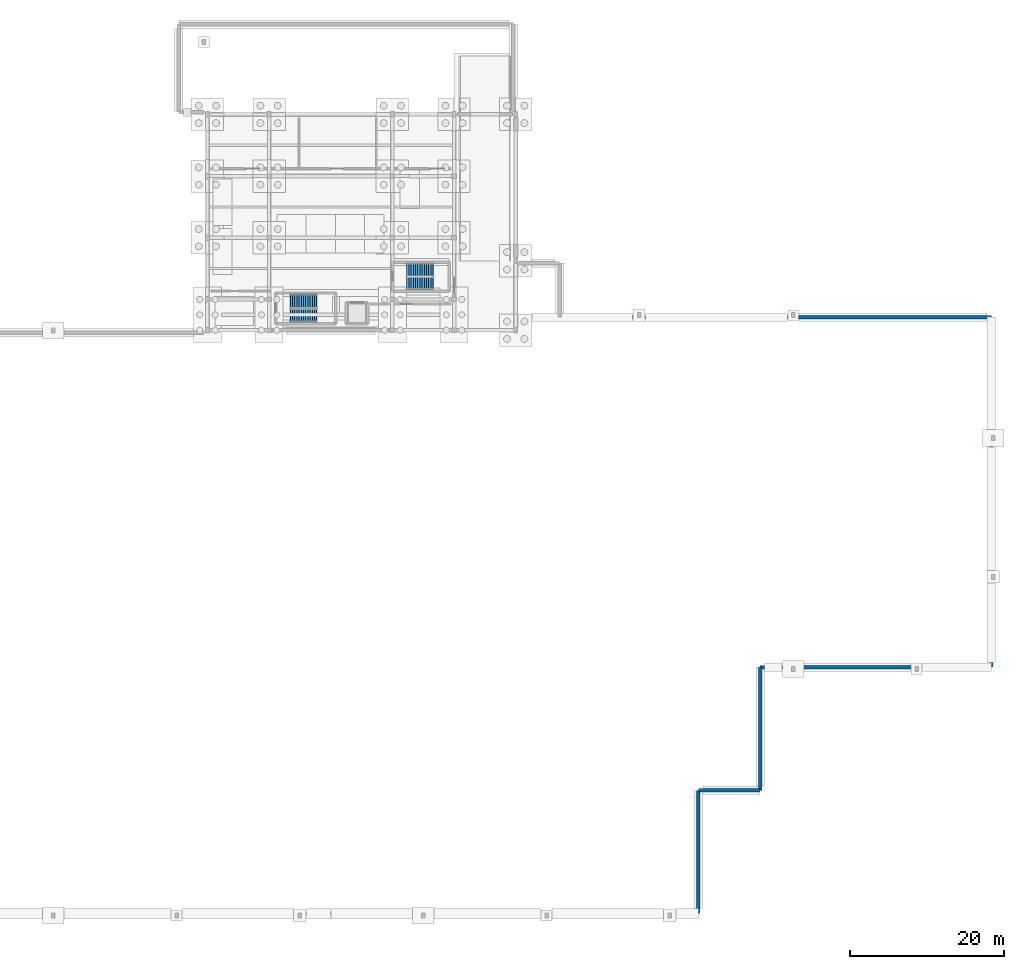
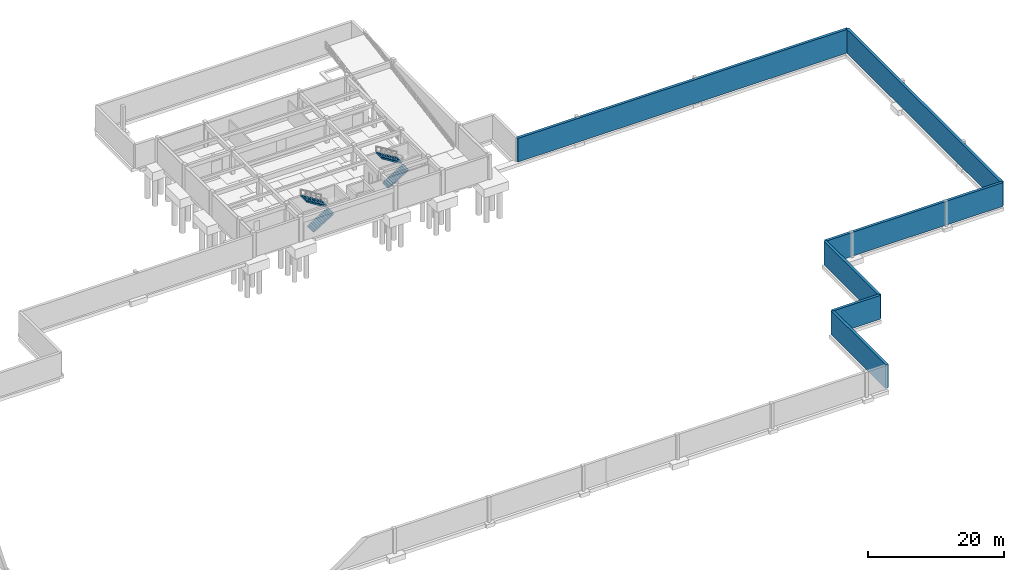
# One storey, part 7 of 11: 6 walls, 4 stair flights, 2 elements without a shape of their own.
"""IFC4 building model written with IfcOpenShell, lengths in metres."""

from ifc_helpers import new_model, si_unit, direction, frame, frame_2d, origin, place, context, subcontext, project, spatial, polyline, rectangle, outline, extrude, material, layer, layer_set, type_object, element, aggregate, save


model = new_model("IFC4")

# Units and contexts
model_context = context("Model", 3, precision=1e-05, world=origin(), true_north=direction((0.0, 1.0)))
body_context = subcontext(model_context, "Body", "Model", "MODEL_VIEW")
ifc_project = project(units=[si_unit("LENGTHUNIT", "METRE"), si_unit("AREAUNIT", "SQUARE_METRE"), si_unit("VOLUMEUNIT", "CUBIC_METRE"), si_unit("PLANEANGLEUNIT", "RADIAN"), si_unit("MASSUNIT", "GRAM", prefix="KILO")], contexts=[model_context])

# Site, building, storey
site_placement = place(None, origin())
site = spatial("IfcSite", under=ifc_project, at=site_placement, CompositionType="ELEMENT")
building_placement = place(site_placement, origin())
building = spatial("IfcBuilding", under=site, at=building_placement, Name="Serraluz Foothill Cableway Terminal", CompositionType="ELEMENT")
storey_placement = place(building_placement, frame((0.0, 0.0, -4.5)))
storey = spatial("IfcBuildingStorey", under=building, at=storey_placement, Name="B1", CompositionType="ELEMENT", Elevation=-4.5)

# Walls
ifc_material = material(Name="Concrete C35/45 (f'c 35 MPa)", Category="concrete")
ifc_layer = layer(ifc_material, 0.449951171875, Name="Concrete C35/45 (f'c 35 MPa)", Category="concrete")
ifc_layer_set = layer_set([ifc_layer], Name="Concrete C35/45 (f'c 35 MPa)")
wall_type = type_object("IfcWallType", Name="TYP-WL-RET-450", PredefinedType="USERDEFINED", material=ifc_layer_set)
wall_1_placement = place(storey_placement, frame((135.699951171875, 0.300048828125, 0.0), z_axis=(0.0, 0.0, 1.0), x_axis=(0.0, 1.0, 0.0)))
element("IfcWall", 1, at=wall_1_placement, inside=storey, type_object=wall_type, Name="Earth Retaining Plinth Wall PLN-E-01", ObjectType="RETAININGWALL", PredefinedType="USERDEFINED", context=body_context, shape_type="SweptSolid", body=[
    extrude(rectangle(XDim=16.0, YDim=0.449951171875, at=frame_2d((8.0, 0.0))), origin(), (0.0, 0.0, 1.0), 4.260009765625),
])
wall_2_placement = place(storey_placement, frame((135.699951171875, 16.300048828125, 0.0), z_axis=(0.0, 0.0, 1.0), x_axis=(1.0, 0.0, 0.0)))
element("IfcWall", 2, at=wall_2_placement, inside=storey, type_object=wall_type, Name="Earth Retaining Plinth Wall PLN-S-02B", ObjectType="RETAININGWALL", PredefinedType="USERDEFINED", context=body_context, shape_type="SweptSolid", body=[
    extrude(rectangle(XDim=8.0, YDim=0.449951171875, at=frame_2d((4.0, 0.0))), origin(), (0.0, 0.0, 1.0), 4.260009765625),
])
wall_3_placement = place(storey_placement, frame((143.699951171875, 16.300048828125, 0.0), z_axis=(0.0, 0.0, 1.0), x_axis=(0.0, 1.0, 0.0)))
element("IfcWall", 3, at=wall_3_placement, inside=storey, type_object=wall_type, Name="Earth Retaining Plinth Wall PLN-E-01B", ObjectType="RETAININGWALL", PredefinedType="USERDEFINED", context=body_context, shape_type="SweptSolid", body=[
    extrude(rectangle(XDim=16.0, YDim=0.449951171875, at=frame_2d((8.0, 0.0))), origin(), (0.0, 0.0, 1.0), 4.260009765625),
])
wall_4_placement = place(storey_placement, frame((143.699951171875, 32.300048828125, 0.0), z_axis=(0.0, 0.0, 1.0), x_axis=(1.0, 0.0, 0.0)))
element("IfcWall", 4, at=wall_4_placement, inside=storey, type_object=wall_type, Name="Earth Retaining Plinth Wall PLN-S-03", ObjectType="RETAININGWALL", PredefinedType="USERDEFINED", context=body_context, shape_type="SweptSolid", body=[
    extrude(rectangle(XDim=30.0, YDim=0.449951171875, at=frame_2d((15.0, 0.0))), origin(), (0.0, 0.0, 1.0), 4.260009765625),
])
wall_5_placement = place(storey_placement, frame((173.699951171875, 32.300048828125, 0.0), z_axis=(0.0, 0.0, 1.0), x_axis=(0.0, 1.0, 0.0)))
element("IfcWall", 5, at=wall_5_placement, inside=storey, type_object=wall_type, Name="Earth Retaining Plinth Wall PLN-E-02", ObjectType="RETAININGWALL", PredefinedType="USERDEFINED", context=body_context, shape_type="SweptSolid", body=[
    extrude(rectangle(XDim=45.39990234375, YDim=0.449951171875, at=frame_2d((22.699951171875, 0.0))), origin(), (0.0, 0.0, 1.0), 4.260009765625),
])
wall_6_placement = place(storey_placement, frame((173.699951171875, 77.699951171875, 0.0), z_axis=(0.0, 0.0, 1.0), x_axis=(-1.0, 0.0, 0.0)))
element("IfcWall", 6, at=wall_6_placement, inside=storey, type_object=wall_type, Name="Earth Retaining Plinth Wall PLN-N-01", ObjectType="RETAININGWALL", PredefinedType="USERDEFINED", context=body_context, shape_type="SweptSolid", body=[
    extrude(rectangle(XDim=56.0, YDim=0.449951171875, at=frame_2d((28.0, 0.0))), origin(), (0.0, 0.0, 1.0), 4.260009765625),
])

# Stair, stair flights
stair_type_1 = type_object("IfcStairType", Name="TYP-ST-DOG-166-45", PredefinedType="HALF_TURN_STAIR", material=ifc_material)
stair_1_placement = place(storey_placement, origin())
stair_1 = element("IfcStair", 7, at=stair_1_placement, inside=storey, type_object=stair_type_1, Name="B1 ST-09", PredefinedType="HALF_TURN_STAIR")
stair_flight_type_1 = type_object("IfcStairFlightType", Name="TYP-FL-DOG-166-45", PredefinedType="STRAIGHT", material=ifc_material)
stair_flight_1_placement = place(storey_placement, frame((97.860107421875, 82.030029296875, 0.0), z_axis=(0.0, 0.0, 1.0), x_axis=(1.0, 0.0, 0.0)))
stair_flight_1 = element("IfcStairFlight", 8, at=stair_flight_1_placement, type_object=stair_flight_type_1, Name="ST-09 flight 1", NumberOfRisers=13, NumberOfTreads=12, PredefinedType="STRAIGHT", RiserHeight=0.173076923, TreadLength=0.285, context=body_context, shape_type="SweptSolid", body=[
    extrude(outline(polyline([(-0.02490234375, -0.06005859375), (-0.02490234375, 0.0), (0.0, 0.0), (0.0, 0.173095703125), (0.284912109375, 0.173095703125), (0.284912109375, 0.34619140625), (0.570068359375, 0.34619140625), (0.570068359375, 0.519287109375), (0.85498046875, 0.519287109375), (0.85498046875, 0.6923828125), (1.139892578125, 0.6923828125), (1.139892578125, 0.865478515625), (1.425048828125, 0.865478515625), (1.425048828125, 1.03857421875), (1.7099609375, 1.03857421875), (1.7099609375, 1.21142578125), (1.9951171875, 1.21142578125), (1.9951171875, 1.384521484375), (2.280029296875, 1.384521484375), (2.280029296875, 1.5576171875), (2.56494140625, 1.5576171875), (2.56494140625, 1.730712890625), (2.85009765625, 1.730712890625), (2.85009765625, 1.90380859375), (3.135009765625, 1.90380859375), (3.135009765625, 2.076904296875), (3.419921875, 2.076904296875), (3.419921875, 2.25), (3.445068359375, 2.25), (3.445068359375, 1.901611328125), (0.288818359375, -0.06005859375), (-0.02490234375, -0.06005859375)])), frame((0.0, 0.830078125, 0.0), z_axis=(0.0, -1.0, 0.0), x_axis=(1.0, 0.0, 0.0)), (0.0, 0.0, 1.0), 1.659912109375),
])
stair_flight_2_placement = place(storey_placement, frame((101.280029296875, 83.85009765625, 2.25), z_axis=(0.0, 0.0, 1.0), x_axis=(-1.0, 0.0, 0.0)))
stair_flight_2 = element("IfcStairFlight", 9, at=stair_flight_2_placement, type_object=stair_flight_type_1, Name="ST-09 flight 2", NumberOfRisers=13, NumberOfTreads=12, PredefinedType="STRAIGHT", RiserHeight=0.173076923, TreadLength=0.285, context=body_context, shape_type="SweptSolid", body=[
    extrude(outline(polyline([(-0.02490234375, -0.06005859375), (-0.02490234375, 0.0), (0.0, 0.0), (0.0, 0.173095703125), (0.284912109375, 0.173095703125), (0.284912109375, 0.34619140625), (0.570068359375, 0.34619140625), (0.570068359375, 0.519287109375), (0.85498046875, 0.519287109375), (0.85498046875, 0.6923828125), (1.139892578125, 0.6923828125), (1.139892578125, 0.865478515625), (1.425048828125, 0.865478515625), (1.425048828125, 1.03857421875), (1.7099609375, 1.03857421875), (1.7099609375, 1.21142578125), (1.9951171875, 1.21142578125), (1.9951171875, 1.384521484375), (2.280029296875, 1.384521484375), (2.280029296875, 1.5576171875), (2.56494140625, 1.5576171875), (2.56494140625, 1.730712890625), (2.85009765625, 1.730712890625), (2.85009765625, 1.90380859375), (3.135009765625, 1.90380859375), (3.135009765625, 2.076904296875), (3.419921875, 2.076904296875), (3.419921875, 2.25), (3.445068359375, 2.25), (3.445068359375, 1.901611328125), (0.288818359375, -0.06005859375), (-0.02490234375, -0.06005859375)])), frame((0.0, 0.830078125, 0.0), z_axis=(0.0, -1.0, 0.0), x_axis=(1.0, 0.0, 0.0)), (0.0, 0.0, 1.0), 1.659912109375),
])
aggregate(stair_1, [stair_flight_1, stair_flight_2])

stair_type_2 = type_object("IfcStairType", Name="TYP-ST-DOG-176-45", PredefinedType="HALF_TURN_STAIR", material=ifc_material)
stair_2_placement = place(storey_placement, origin())
stair_2 = element("IfcStair", 10, at=stair_2_placement, inside=storey, type_object=stair_type_2, Name="B1 ST-08", PredefinedType="HALF_TURN_STAIR")
stair_flight_type_2 = type_object("IfcStairFlightType", Name="TYP-FL-DOG-176-45", PredefinedType="STRAIGHT", material=ifc_material)
stair_flight_3_placement = place(storey_placement, frame((82.760009765625, 77.8798828125, 0.0), z_axis=(0.0, 0.0, 1.0), x_axis=(1.0, 0.0, 0.0)))
stair_flight_3 = element("IfcStairFlight", 11, at=stair_flight_3_placement, type_object=stair_flight_type_2, Name="ST-08 flight 1", NumberOfRisers=13, NumberOfTreads=12, PredefinedType="STRAIGHT", RiserHeight=0.173076923, TreadLength=0.285, context=body_context, shape_type="SweptSolid", body=[
    extrude(outline(polyline([(-0.02490234375, -0.06005859375), (-0.02490234375, 0.0), (0.0, 0.0), (0.0, 0.173095703125), (0.284912109375, 0.173095703125), (0.284912109375, 0.34619140625), (0.570068359375, 0.34619140625), (0.570068359375, 0.519287109375), (0.85498046875, 0.519287109375), (0.85498046875, 0.6923828125), (1.139892578125, 0.6923828125), (1.139892578125, 0.865478515625), (1.425048828125, 0.865478515625), (1.425048828125, 1.03857421875), (1.7099609375, 1.03857421875), (1.7099609375, 1.21142578125), (1.9951171875, 1.21142578125), (1.9951171875, 1.384521484375), (2.280029296875, 1.384521484375), (2.280029296875, 1.5576171875), (2.56494140625, 1.5576171875), (2.56494140625, 1.730712890625), (2.85009765625, 1.730712890625), (2.85009765625, 1.90380859375), (3.135009765625, 1.90380859375), (3.135009765625, 2.076904296875), (3.419921875, 2.076904296875), (3.419921875, 2.25), (3.445068359375, 2.25), (3.445068359375, 1.901611328125), (0.288818359375, -0.06005859375), (-0.02490234375, -0.06005859375)])), frame((0.0, 0.8798828125, 0.0), z_axis=(0.0, -1.0, 0.0), x_axis=(1.0, 0.0, 0.0)), (0.0, 0.0, 1.0), 1.760009765625),
])
stair_flight_4_placement = place(storey_placement, frame((86.179931640625, 79.800048828125, 2.25), z_axis=(0.0, 0.0, 1.0), x_axis=(-1.0, 0.0, 0.0)))
stair_flight_4 = element("IfcStairFlight", 12, at=stair_flight_4_placement, type_object=stair_flight_type_2, Name="ST-08 flight 2", NumberOfRisers=13, NumberOfTreads=12, PredefinedType="STRAIGHT", RiserHeight=0.173076923, TreadLength=0.285, context=body_context, shape_type="SweptSolid", body=[
    extrude(outline(polyline([(-0.02490234375, -0.06005859375), (-0.02490234375, 0.0), (0.0, 0.0), (0.0, 0.173095703125), (0.284912109375, 0.173095703125), (0.284912109375, 0.34619140625), (0.570068359375, 0.34619140625), (0.570068359375, 0.519287109375), (0.85498046875, 0.519287109375), (0.85498046875, 0.6923828125), (1.139892578125, 0.6923828125), (1.139892578125, 0.865478515625), (1.425048828125, 0.865478515625), (1.425048828125, 1.03857421875), (1.7099609375, 1.03857421875), (1.7099609375, 1.21142578125), (1.9951171875, 1.21142578125), (1.9951171875, 1.384521484375), (2.280029296875, 1.384521484375), (2.280029296875, 1.5576171875), (2.56494140625, 1.5576171875), (2.56494140625, 1.730712890625), (2.85009765625, 1.730712890625), (2.85009765625, 1.90380859375), (3.135009765625, 1.90380859375), (3.135009765625, 2.076904296875), (3.419921875, 2.076904296875), (3.419921875, 2.25), (3.445068359375, 2.25), (3.445068359375, 1.901611328125), (0.288818359375, -0.06005859375), (-0.02490234375, -0.06005859375)])), frame((0.0, 0.8798828125, 0.0), z_axis=(0.0, -1.0, 0.0), x_axis=(1.0, 0.0, 0.0)), (0.0, 0.0, 1.0), 1.760009765625),
])
aggregate(stair_2, [stair_flight_3, stair_flight_4])

save(model, "model.ifc")
